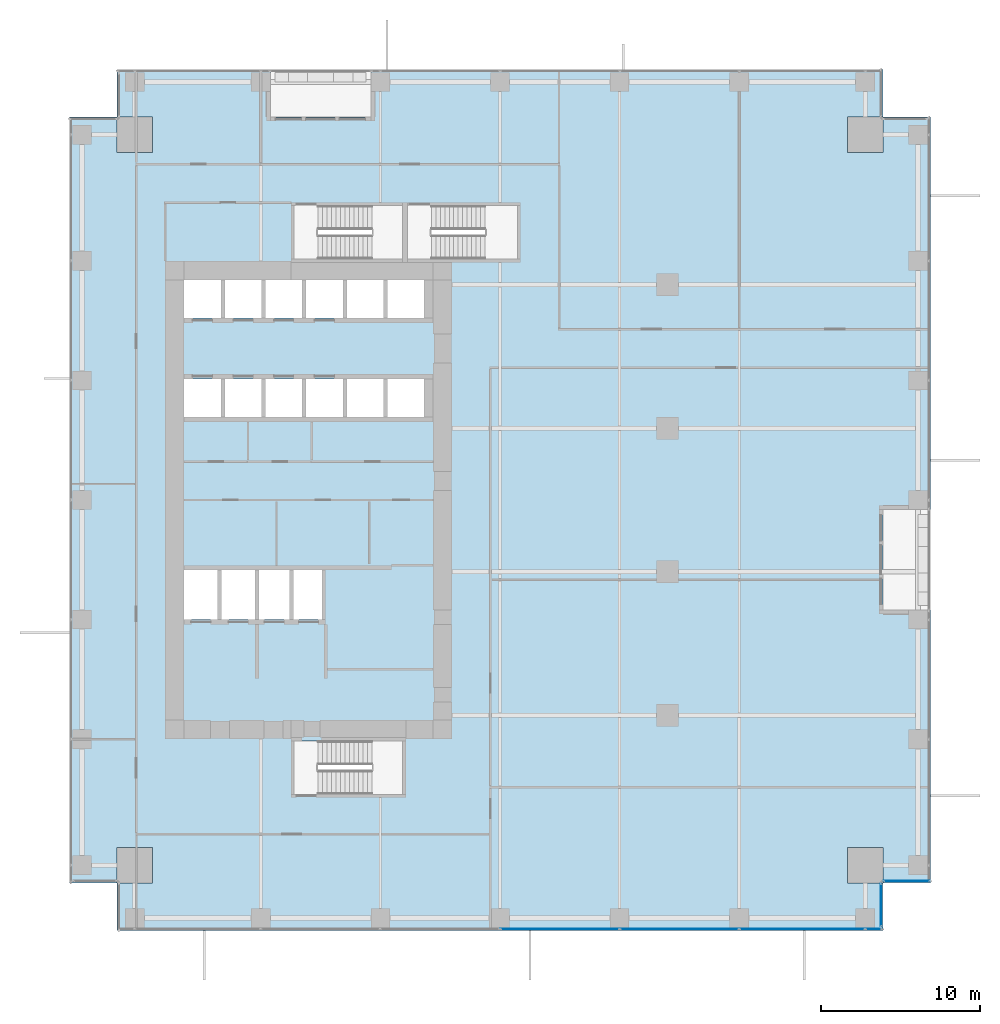
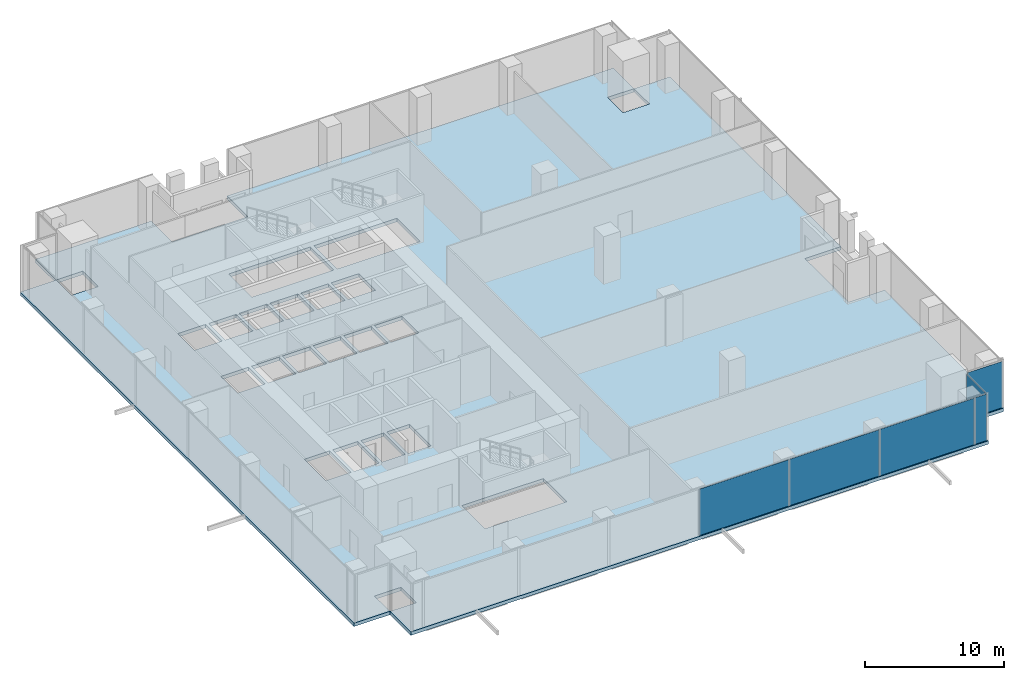
# One storey, part 23 of 33: 6 plates, 1 slab, 3 elements without a shape of their own.
"""IFC4 building model written with IfcOpenShell, lengths in metres."""

from ifc_helpers import new_model, si_unit, direction, frame, origin, origin_2d, place, context, subcontext, project, spatial, polyline, rectangle, outline, extrude, source, transform, mapped, material, layer, layer_set, type_object, element, aggregate, save


model = new_model("IFC4")

# Units and contexts
model_context = context("Model", 3, precision=1e-05, world=origin(), true_north=direction((0.0, 1.0)))
body_context = subcontext(model_context, "Body", "Model", "MODEL_VIEW")
ifc_project = project(units=[si_unit("LENGTHUNIT", "METRE"), si_unit("AREAUNIT", "SQUARE_METRE"), si_unit("VOLUMEUNIT", "CUBIC_METRE"), si_unit("PLANEANGLEUNIT", "RADIAN"), si_unit("MASSUNIT", "GRAM", prefix="KILO")], contexts=[model_context])

# Site, building, storey
site_placement = place(None, origin())
site = spatial("IfcSite", under=ifc_project, at=site_placement, CompositionType="ELEMENT")
building_placement = place(site_placement, origin())
building = spatial("IfcBuilding", under=site, at=building_placement, Name="Khomas Fold Tower", CompositionType="ELEMENT")
storey_placement = place(building_placement, frame((0.0, 0.0, 82.5)))
storey = spatial("IfcBuildingStorey", under=building, at=storey_placement, Name="L17", CompositionType="ELEMENT", Elevation=82.5)

# Slab
ifc_material_1 = material(Name="Concrete C40/50", Category="concrete")
ifc_layer_1 = layer(ifc_material_1, 0.300048828125)
ifc_layer_set_1 = layer_set([ifc_layer_1], Name="Concrete C40/50")
slab_type = type_object("IfcSlabType", Name="RC floor slab 300", PredefinedType="FLOOR", material=ifc_layer_set_1)
shared_shape_1 = source(origin(), body_context, "Body", "SweptSolid", [
    extrude(outline(polyline([(0.0, 3.0), (2.9951171875, 3.0), (2.9951171875, 5.205078125), (5.205078125, 5.205078125), (5.205078125, 2.9951171875), (3.0, 2.9951171875), (3.0, 0.0), (51.0, 0.0), (51.0, 2.9951171875), (48.794921875, 2.9951171875), (48.794921875, 5.205078125), (51.0048828125, 5.205078125), (51.0048828125, 3.0), (54.0, 3.0), (54.0, 20.10009765625), (51.0, 20.10009765625), (51.0, 26.39990234375), (54.0, 26.39990234375), (54.0, 51.0), (51.0048828125, 51.0), (51.0048828125, 48.794921875), (48.794921875, 48.794921875), (48.794921875, 51.0048828125), (51.0, 51.0048828125), (51.0, 54.0), (18.89990234375, 54.0), (18.89990234375, 51.0), (12.60009765625, 51.0), (12.60009765625, 54.0), (3.0, 54.0), (3.0, 51.0048828125), (5.205078125, 51.0048828125), (5.205078125, 48.794921875), (2.9951171875, 48.794921875), (2.9951171875, 51.0), (0.0, 51.0), (0.0, 3.0)]), holes=[polyline([(7.199951171875, 19.5), (7.199951171875, 22.60009765625), (9.300048828125, 22.60009765625), (9.300048828125, 19.5), (7.199951171875, 19.5)]), polyline([(7.199951171875, 32.199951171875), (7.199951171875, 34.60009765625), (9.5, 34.60009765625), (9.5, 32.199951171875), (7.199951171875, 32.199951171875)]), polyline([(7.199951171875, 38.39990234375), (7.199951171875, 40.800048828125), (9.5, 40.800048828125), (9.5, 38.39990234375), (7.199951171875, 38.39990234375)]), polyline([(9.550048828125, 19.5), (9.550048828125, 22.60009765625), (11.64990234375, 22.60009765625), (11.64990234375, 19.5), (9.550048828125, 19.5)]), polyline([(9.75, 32.199951171875), (9.75, 34.60009765625), (12.050048828125, 34.60009765625), (12.050048828125, 32.199951171875), (9.75, 32.199951171875)]), polyline([(9.75, 38.39990234375), (9.75, 40.800048828125), (12.050048828125, 40.800048828125), (12.050048828125, 38.39990234375), (9.75, 38.39990234375)]), polyline([(11.89990234375, 19.5), (11.89990234375, 22.60009765625), (13.800048828125, 22.60009765625), (13.800048828125, 19.5), (11.89990234375, 19.5)]), polyline([(12.300048828125, 32.199951171875), (12.300048828125, 34.60009765625), (14.60009765625, 34.60009765625), (14.60009765625, 32.199951171875), (12.300048828125, 32.199951171875)]), polyline([(12.300048828125, 38.39990234375), (12.300048828125, 40.800048828125), (14.60009765625, 40.800048828125), (14.60009765625, 38.39990234375), (12.300048828125, 38.39990234375)]), polyline([(14.050048828125, 19.5), (14.050048828125, 22.60009765625), (15.949951171875, 22.60009765625), (15.949951171875, 19.5), (14.050048828125, 19.5)]), polyline([(14.10009765625, 8.550048828125), (14.10009765625, 11.89990234375), (20.89990234375, 11.89990234375), (20.89990234375, 8.550048828125), (14.10009765625, 8.550048828125)]), polyline([(14.10009765625, 42.10009765625), (14.10009765625, 45.449951171875), (20.89990234375, 45.449951171875), (20.89990234375, 42.10009765625), (14.10009765625, 42.10009765625)]), polyline([(14.85009765625, 32.199951171875), (14.85009765625, 34.60009765625), (17.14990234375, 34.60009765625), (17.14990234375, 32.199951171875), (14.85009765625, 32.199951171875)]), polyline([(14.85009765625, 38.39990234375), (14.85009765625, 40.800048828125), (17.14990234375, 40.800048828125), (17.14990234375, 38.39990234375), (14.85009765625, 38.39990234375)]), polyline([(17.39990234375, 32.199951171875), (17.39990234375, 34.60009765625), (19.699951171875, 34.60009765625), (19.699951171875, 32.199951171875), (17.39990234375, 32.199951171875)]), polyline([(17.39990234375, 38.39990234375), (17.39990234375, 40.800048828125), (19.699951171875, 40.800048828125), (19.699951171875, 38.39990234375), (17.39990234375, 38.39990234375)]), polyline([(19.949951171875, 32.199951171875), (19.949951171875, 34.60009765625), (22.25, 34.60009765625), (22.25, 32.199951171875), (19.949951171875, 32.199951171875)]), polyline([(19.949951171875, 38.39990234375), (19.949951171875, 40.800048828125), (22.25, 40.800048828125), (22.25, 38.39990234375), (19.949951171875, 38.39990234375)]), polyline([(21.199951171875, 42.10009765625), (21.199951171875, 45.449951171875), (28.10009765625, 45.449951171875), (28.10009765625, 42.10009765625), (21.199951171875, 42.10009765625)])]), origin(), (0.0, 0.0, 1.0), 0.300048828125),
])
slab_placement = place(storey_placement, frame((0.0, 0.0, -0.300048828125)))
element("IfcSlab", 1, at=slab_placement, inside=storey, type_object=slab_type, Name="S-L17", PredefinedType="FLOOR", context=body_context, shape_type="MappedRepresentation", body=[
    mapped(shared_shape_1, transform((0.0, 0.0, 0.0))),
])

# Curtain wall, plates
ifc_material_2 = material(Name="Aluminium framed double glazing", Category="aluminium")
curtain_wall_type = type_object("IfcCurtainWallType", Name="SK-Unitised clear-glass wall, growing floors CW1", PredefinedType="NOTDEFINED", material=ifc_material_2)
curtain_wall_1_placement = place(storey_placement, origin())
curtain_wall_1 = element("IfcCurtainWall", 2, at=curtain_wall_1_placement, inside=storey, type_object=curtain_wall_type, Name="CW1 run L17 00-0", PredefinedType="NOTDEFINED")
ifc_material_3 = material(Name="Clear double glazed unit")
ifc_layer_2 = layer(ifc_material_3, 0.031982421875)
ifc_layer_set_2 = layer_set([ifc_layer_2], Name="Clear double glazed unit")
plate_type = type_object("IfcPlateType", Name="SK-Unitised clear-glass wall, growing floors glass panel CW1-P", PredefinedType="CURTAIN_PANEL", material=ifc_layer_set_2)
shared_shape_2 = source(origin(), body_context, "Body", "SweptSolid", [
    extrude(rectangle(XDim=7.840087890625, YDim=0.031982421875, at=origin_2d()), origin(), (0.0, 0.0, 1.0), 4.080078125),
])
plate_1_placement = place(storey_placement, frame((45.949951171875, 0.10009765625, 0.0), z_axis=(0.0, 0.0, 1.0), x_axis=(1.0, 0.0, 0.0)))
plate_1 = element("IfcPlate", 3, at=plate_1_placement, type_object=plate_type, Name="CW1 glass panel 7", PredefinedType="CURTAIN_PANEL", context=body_context, shape_type="MappedRepresentation", body=[
    mapped(shared_shape_2, transform((0.0, 0.0, 0.0))),
])
shared_shape_3 = source(origin(), body_context, "Body", "SweptSolid", [
    extrude(rectangle(XDim=7.43994140625, YDim=0.031982421875, at=origin_2d()), origin(), (0.0, 0.0, 1.0), 4.080078125),
])
plate_2_placement = place(storey_placement, frame((30.75, 0.10009765625, 0.0), z_axis=(0.0, 0.0, 1.0), x_axis=(1.0, 0.0, 0.0)))
plate_2 = element("IfcPlate", 4, at=plate_2_placement, type_object=plate_type, Name="CW1 glass panel 5", PredefinedType="CURTAIN_PANEL", context=body_context, shape_type="MappedRepresentation", body=[
    mapped(shared_shape_3, transform((0.0, 0.0, 0.0))),
])
plate_3_placement = place(storey_placement, frame((38.25, 0.10009765625, 0.0), z_axis=(0.0, 0.0, 1.0), x_axis=(1.0, 0.0, 0.0)))
plate_3 = element("IfcPlate", 5, at=plate_3_placement, type_object=plate_type, Name="CW1 glass panel 6", PredefinedType="CURTAIN_PANEL", context=body_context, shape_type="MappedRepresentation", body=[
    mapped(shared_shape_3, transform((0.0, 0.0, 0.0))),
])
shared_shape_4 = source(origin(), body_context, "Body", "SweptSolid", [
    extrude(rectangle(XDim=1.010009765625, YDim=0.031982421875, at=origin_2d()), origin(), (0.0, 0.0, 1.0), 4.080078125),
])
plate_4_placement = place(storey_placement, frame((50.43505859375, 0.10009765625, 0.0), z_axis=(0.0, 0.0, 1.0), x_axis=(1.0, 0.0, 0.0)))
plate_4 = element("IfcPlate", 6, at=plate_4_placement, type_object=plate_type, Name="CW1 glass panel 8", PredefinedType="CURTAIN_PANEL", context=body_context, shape_type="MappedRepresentation", body=[
    mapped(shared_shape_4, transform((0.0, 0.0, 0.0))),
])
aggregate(curtain_wall_1, [plate_2, plate_3, plate_1, plate_4])

# Curtain wall, plate
curtain_wall_2_placement = place(storey_placement, origin())
curtain_wall_2 = element("IfcCurtainWall", 7, at=curtain_wall_2_placement, inside=storey, type_object=curtain_wall_type, Name="CW1 corner return L17 01", PredefinedType="NOTDEFINED")
shared_shape_5 = source(origin(), body_context, "Body", "SweptSolid", [
    extrude(rectangle(XDim=2.679931640625, YDim=0.031982421875, at=origin_2d()), origin(), (0.0, 0.0, 1.0), 4.080078125),
])
plate_5_placement = place(storey_placement, frame((50.89990234375, 1.60009765625, 0.0), z_axis=(0.0, 0.0, 1.0), x_axis=(0.0, 1.0, 0.0)))
plate_5 = element("IfcPlate", 8, at=plate_5_placement, type_object=plate_type, Name="CW1 glass panel 1", PredefinedType="CURTAIN_PANEL", context=body_context, shape_type="MappedRepresentation", body=[
    mapped(shared_shape_5, transform((0.0, 0.0, 0.0))),
])
aggregate(curtain_wall_2, [plate_5])

curtain_wall_3_placement = place(storey_placement, origin())
curtain_wall_3 = element("IfcCurtainWall", 9, at=curtain_wall_3_placement, inside=storey, type_object=curtain_wall_type, Name="CW1 corner return L17 02", PredefinedType="NOTDEFINED")
shared_shape_6 = source(origin(), body_context, "Body", "SweptSolid", [
    extrude(rectangle(XDim=2.8798828125, YDim=0.031982421875, at=origin_2d()), origin(), (0.0, 0.0, 1.0), 4.080078125),
])
plate_6_placement = place(storey_placement, frame((52.5, 3.10009765625, 0.0), z_axis=(0.0, 0.0, 1.0), x_axis=(1.0, 0.0, 0.0)))
plate_6 = element("IfcPlate", 10, at=plate_6_placement, type_object=plate_type, Name="CW1 glass panel 1", PredefinedType="CURTAIN_PANEL", context=body_context, shape_type="MappedRepresentation", body=[
    mapped(shared_shape_6, transform((0.0, 0.0, 0.0))),
])
aggregate(curtain_wall_3, [plate_6])

save(model, "model.ifc")
